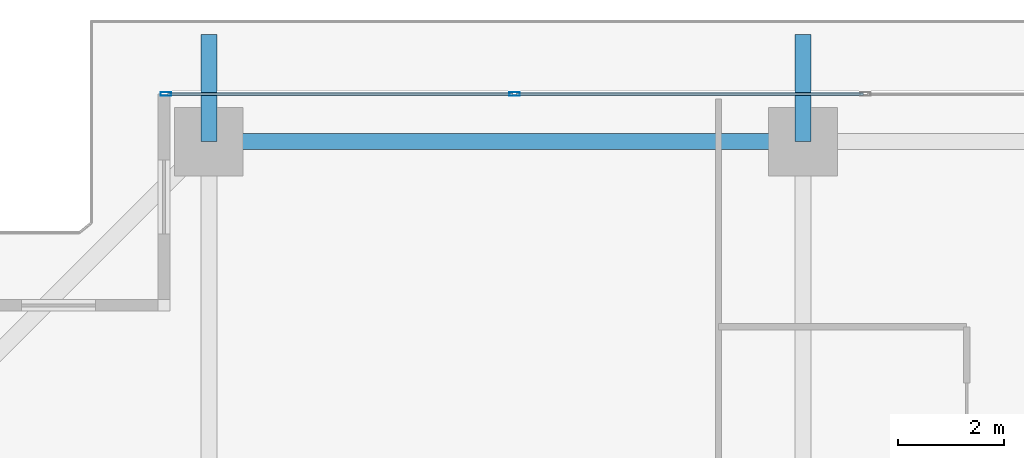
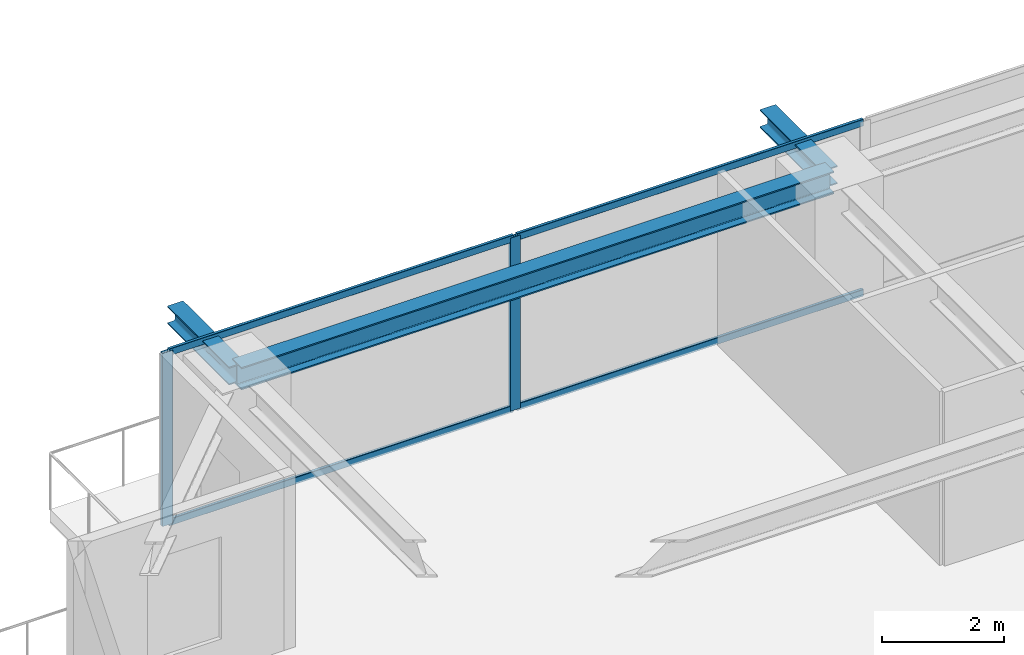
# One storey, part 18 of 34: 6 members, 3 beams, 1 element without a shape of its own.
"""IFC4 building model written with IfcOpenShell, lengths in metres."""

from ifc_helpers import new_model, si_unit, direction, frame, origin, origin_2d, place, context, subcontext, project, spatial, hollow_rectangle, i_section, extrude, source, transform, mapped, material, layer, layer_set, material_profile, profile_set, type_object, element, aggregate, save


model = new_model("IFC4")

# Units and contexts
model_context = context("Model", 3, precision=1e-05, world=origin(), true_north=direction((0.0, 1.0)))
body_context = subcontext(model_context, "Body", "Model", "MODEL_VIEW")
ifc_project = project(units=[si_unit("LENGTHUNIT", "METRE"), si_unit("AREAUNIT", "SQUARE_METRE"), si_unit("VOLUMEUNIT", "CUBIC_METRE"), si_unit("PLANEANGLEUNIT", "RADIAN"), si_unit("MASSUNIT", "GRAM", prefix="KILO")], contexts=[model_context])

# Site, building, storey
site_placement = place(None, origin())
site = spatial("IfcSite", under=ifc_project, at=site_placement, CompositionType="ELEMENT")
building_placement = place(site_placement, origin())
building = spatial("IfcBuilding", under=site, at=building_placement, Name="Serunith Strait Residences", CompositionType="ELEMENT")
storey_placement = place(building_placement, frame((0.0, 0.0, 142.64990234375)))
storey = spatial("IfcBuildingStorey", under=building, at=storey_placement, Name="L35", CompositionType="ELEMENT", Elevation=142.64990234375)

# Beams
ifc_material_1 = material(Name="Steel S355J2", Category="steel")
ifc_material_profile_1 = material_profile(ifc_material_1, i_section(OverallWidth=0.300048828125, OverallDepth=0.449951171875, WebThickness=0.013916015625, FlangeThickness=0.02587890625, FilletRadius=0.027099609375, at=origin_2d()), Name="HEB 450")
ifc_profile_set_1 = profile_set([ifc_material_profile_1], Name="Steel S355J2")
beam_type_1 = type_object("IfcBeamType", Name="BM-HEB450", PredefinedType="BEAM", material=ifc_profile_set_1)
shared_shape_1 = source(origin(), body_context, "Body", "SweptSolid", [
    extrude(i_section(OverallWidth=0.300048828125, OverallDepth=0.449951171875, WebThickness=0.013916015625, FlangeThickness=0.02587890625, FilletRadius=0.027099609375, at=origin_2d()), origin(), (0.0, 0.0, 1.0), 11.25),
])
beam_placement = place(storey_placement, frame((27.89990234375, 48.10009765625, 3.26220703125), z_axis=(-1.0, 0.0, 0.0), x_axis=(0.0, -1.0, 0.0)))
element("IfcBeam", 1, at=beam_placement, inside=storey, type_object=beam_type_1, Name="L35 Perimeter Ring Beam 11", PredefinedType="BEAM", context=body_context, shape_type="MappedRepresentation", body=[
    mapped(shared_shape_1, transform((0.0, 0.0, 0.0), scale=1.0)),
])
ifc_material_profile_2 = material_profile(ifc_material_1, i_section(OverallWidth=0.300048828125, OverallDepth=0.360107421875, WebThickness=0.012451171875, FlangeThickness=0.0224609375, FilletRadius=0.027099609375, at=origin_2d()), Name="HEB 360")
ifc_profile_set_2 = profile_set([ifc_material_profile_2], Name="Steel S355J2")
beam_type_2 = type_object("IfcBeamType", Name="BM-HEB360", PredefinedType="BEAM", material=ifc_profile_set_2)
shared_shape_2 = source(origin(), body_context, "Body", "SweptSolid", [
    extrude(i_section(OverallWidth=0.300048828125, OverallDepth=0.360107421875, WebThickness=0.012451171875, FlangeThickness=0.0224609375, FilletRadius=0.027099609375, at=origin_2d()), origin(), (0.0, 0.0, 1.0), 2.02978515625),
])
for number, where, z_axis, x_axis, name in (
    (2, (16.64990234375, 48.10009765625, 3.277099609375), (0.0, 1.0, 0.0), (-1.0, 0.0, 0.0), "L36 Cantilevered Balcony Rib TC-N1"),
    (3, (27.89990234375, 48.10009765625, 3.277099609375), (0.0, 1.0, 0.0), (-1.0, 0.0, 0.0), "L36 Cantilevered Balcony Rib TC-N2"),
):
    element("IfcBeam", number, at=place(storey_placement, frame(where, z_axis=z_axis, x_axis=x_axis)), inside=storey, type_object=beam_type_2, Name=name, PredefinedType="BEAM", context=body_context, shape_type="MappedRepresentation", body=[
        mapped(shared_shape_2, transform((0.0, 0.0, 0.0), scale=1.0)),
    ])

# Curtain wall, members
ifc_material_2 = material(Name="Pale-Champagne Anodised Aluminium", Category="aluminium")
ifc_layer = layer(ifc_material_2, 0.199951171875, Name="Pale-Champagne Anodised Aluminium")
ifc_layer_set = layer_set([ifc_layer], Name="Pale-Champagne Anodised Aluminium")
curtain_wall_type = type_object("IfcCurtainWallType", Name="CW-SYS2", PredefinedType="NOTDEFINED", material=ifc_layer_set)
curtain_wall_placement = place(storey_placement, origin())
curtain_wall = element("IfcCurtainWall", 4, at=curtain_wall_placement, inside=storey, type_object=curtain_wall_type, Name="L35 N Unitised Fritted Curtain Wall", PredefinedType="NOTDEFINED")
ifc_material_profile_3 = material_profile(ifc_material_2, hollow_rectangle(XDim=0.070068359375, YDim=0.199951171875, WallThickness=0.00390625, InnerFilletRadius=0.006103515625, OuterFilletRadius=0.010009765625, at=origin_2d()), Name="ALU 200x70x4")
ifc_profile_set_3 = profile_set([ifc_material_profile_3], Name="Pale-Champagne Anodised Aluminium")
member_type_1 = type_object("IfcMemberType", Name="CW-SYS2-MULL", PredefinedType="MULLION", material=ifc_profile_set_3)
shared_shape_3 = source(origin(), body_context, "Body", "SweptSolid", [
    extrude(hollow_rectangle(XDim=0.070068359375, YDim=0.199951171875, WallThickness=0.00390625, InnerFilletRadius=0.006103515625, OuterFilletRadius=0.010009765625, at=origin_2d()), origin(), (0.0, 0.0, 1.0), 3.47509765625),
])
member_1_placement = place(storey_placement, frame((22.43994140625, 49.0, 0.0), z_axis=(0.0, 0.0, 1.0), x_axis=(0.0, -1.0, 0.0)))
member_1 = element("IfcMember", 5, at=member_1_placement, type_object=member_type_1, Name="CW-2 mullion 5", PredefinedType="MULLION", context=body_context, shape_type="MappedRepresentation", body=[
    mapped(shared_shape_3, transform((0.0, 0.0, 0.0), scale=1.0)),
])
member_2_placement = place(storey_placement, frame((15.8349609375, 49.0, 0.0), z_axis=(0.0, 0.0, 1.0), x_axis=(0.0, -1.0, 0.0)))
member_2 = element("IfcMember", 6, at=member_2_placement, type_object=member_type_1, Name="CW-2 mullion 6", PredefinedType="MULLION", context=body_context, shape_type="MappedRepresentation", body=[
    mapped(shared_shape_3, transform((0.0, 0.0, 0.0), scale=1.0)),
])
ifc_material_profile_4 = material_profile(ifc_material_2, hollow_rectangle(XDim=0.06005859375, YDim=0.139892578125, WallThickness=0.00341796875, InnerFilletRadius=0.00537109375, OuterFilletRadius=0.0087890625, at=origin_2d()), Name="ALU 140x60x3.5")
ifc_profile_set_4 = profile_set([ifc_material_profile_4], Name="Pale-Champagne Anodised Aluminium")
member_type_2 = type_object("IfcMemberType", Name="CW-SYS2-TRAN", PredefinedType="USERDEFINED", material=ifc_profile_set_4)
shared_shape_4 = source(origin(), body_context, "Body", "SweptSolid", [
    extrude(hollow_rectangle(XDim=0.06005859375, YDim=0.139892578125, WallThickness=0.00341796875, InnerFilletRadius=0.00537109375, OuterFilletRadius=0.0087890625, at=origin_2d()), origin(), (0.0, 0.0, 1.0), 6.534912109375),
])
member_3_placement = place(storey_placement, frame((22.405029296875, 49.0, 0.030029296875), z_axis=(-1.0, 0.0, 0.0), x_axis=(0.0, -1.0, 0.0)))
member_3 = element("IfcMember", 7, at=member_3_placement, type_object=member_type_2, Name="CW-2 transom 5.1", ObjectType="TRANSOM", PredefinedType="USERDEFINED", context=body_context, shape_type="MappedRepresentation", body=[
    mapped(shared_shape_4, transform((0.0, 0.0, 0.0), scale=1.0)),
])
member_4_placement = place(storey_placement, frame((22.405029296875, 49.0, 3.445068359375), z_axis=(-1.0, 0.0, 0.0), x_axis=(0.0, -1.0, 0.0)))
member_4 = element("IfcMember", 8, at=member_4_placement, type_object=member_type_2, Name="CW-2 transom 5.2", ObjectType="TRANSOM", PredefinedType="USERDEFINED", context=body_context, shape_type="MappedRepresentation", body=[
    mapped(shared_shape_4, transform((0.0, 0.0, 0.0), scale=1.0)),
])
shared_shape_5 = source(origin(), body_context, "Body", "SweptSolid", [
    extrude(hollow_rectangle(XDim=0.06005859375, YDim=0.139892578125, WallThickness=0.00341796875, InnerFilletRadius=0.00537109375, OuterFilletRadius=0.0087890625, at=origin_2d()), origin(), (0.0, 0.0, 1.0), 6.56982421875),
])
member_5_placement = place(storey_placement, frame((29.044921875, 49.0, 0.030029296875), z_axis=(-1.0, 0.0, 0.0), x_axis=(0.0, -1.0, 0.0)))
member_5 = element("IfcMember", 9, at=member_5_placement, type_object=member_type_2, Name="CW-2 transom 4.1", ObjectType="TRANSOM", PredefinedType="USERDEFINED", context=body_context, shape_type="MappedRepresentation", body=[
    mapped(shared_shape_5, transform((0.0, 0.0, 0.0), scale=1.0)),
])
member_6_placement = place(storey_placement, frame((29.044921875, 49.0, 3.445068359375), z_axis=(-1.0, 0.0, 0.0), x_axis=(0.0, -1.0, 0.0)))
member_6 = element("IfcMember", 10, at=member_6_placement, type_object=member_type_2, Name="CW-2 transom 4.2", ObjectType="TRANSOM", PredefinedType="USERDEFINED", context=body_context, shape_type="MappedRepresentation", body=[
    mapped(shared_shape_5, transform((0.0, 0.0, 0.0), scale=1.0)),
])
aggregate(curtain_wall, [member_1, member_2, member_5, member_6, member_3, member_4])

save(model, "model.ifc")
